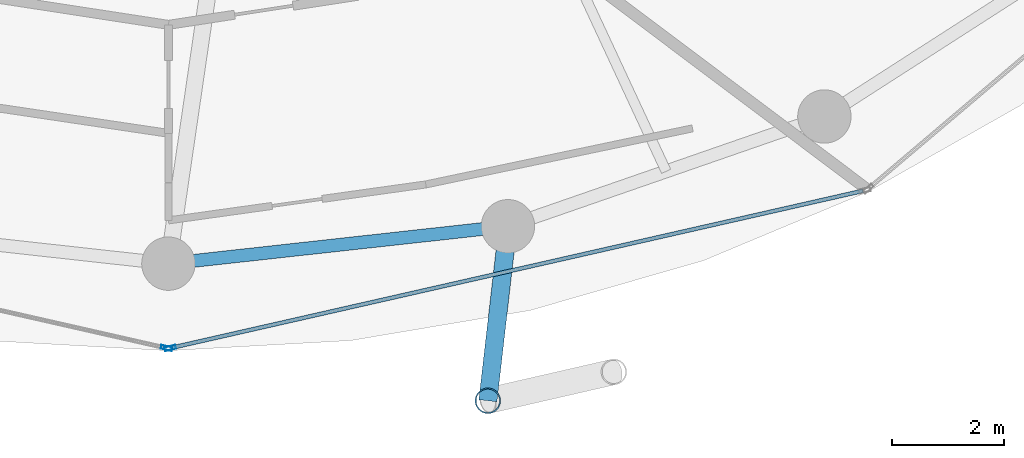
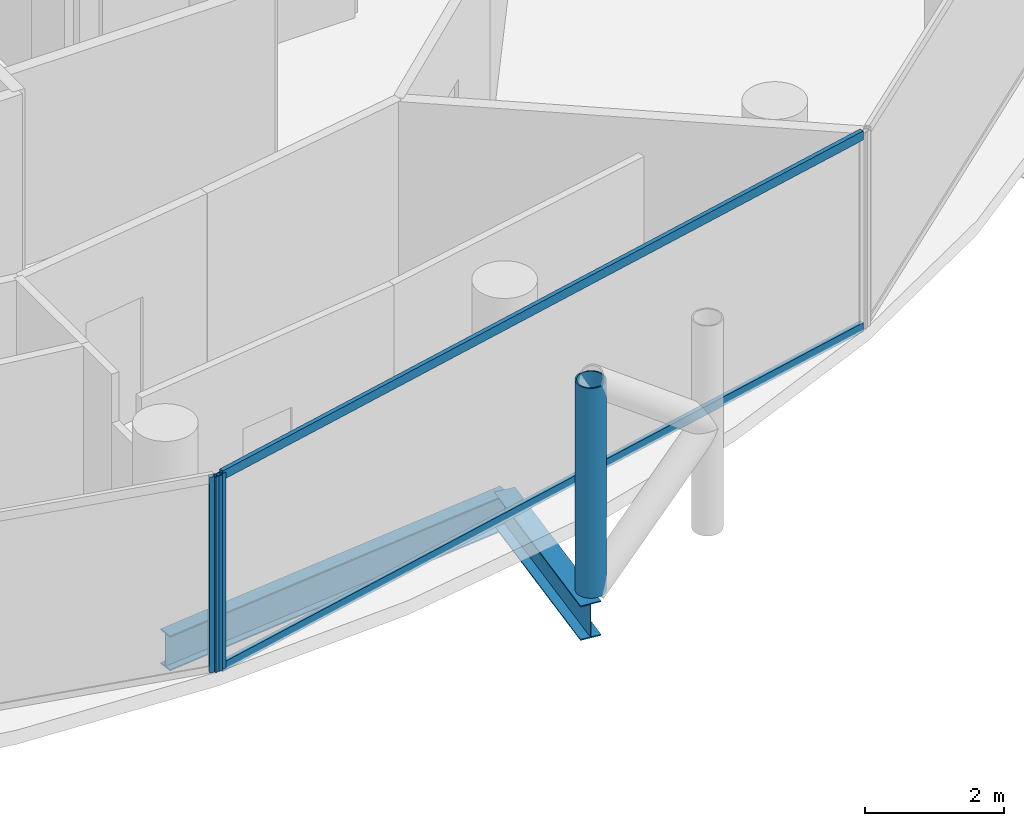
# One storey, part 4 of 26: 5 members, 2 beams, 2 elements without a shape of their own.
"""IFC4 building model written with IfcOpenShell, lengths in metres."""

from ifc_helpers import new_model, si_unit, direction, frame, origin, origin_2d, place, context, subcontext, project, spatial, hollow_rectangle, hollow_circle, i_section, extrude, material, layer, layer_set, material_profile, profile_set, type_object, element, aggregate, save


model = new_model("IFC4")

# Units and contexts
model_context = context("Model", 3, precision=1e-05, world=origin(), true_north=direction((0.0, 1.0)))
body_context = subcontext(model_context, "Body", "Model", "MODEL_VIEW")
ifc_project = project(units=[si_unit("LENGTHUNIT", "METRE"), si_unit("AREAUNIT", "SQUARE_METRE"), si_unit("VOLUMEUNIT", "CUBIC_METRE"), si_unit("PLANEANGLEUNIT", "RADIAN"), si_unit("MASSUNIT", "GRAM", prefix="KILO")], contexts=[model_context])

# Site, building, storey
site_placement = place(None, origin())
site = spatial("IfcSite", under=ifc_project, at=site_placement, CompositionType="ELEMENT")
building_placement = place(site_placement, origin())
building = spatial("IfcBuilding", under=site, at=building_placement, Name="Nuhasar Tower", CompositionType="ELEMENT")
storey_placement = place(building_placement, frame((0.0, 0.0, 133.050048828125)))
storey = spatial("IfcBuildingStorey", under=building, at=storey_placement, Name="L31", CompositionType="ELEMENT", Elevation=133.050048828125)

# Beams
ifc_material_1 = material(Name="Steel S355", Category="steel")
ifc_material_profile_1 = material_profile(ifc_material_1, i_section(OverallWidth=0.22998046875, OverallDepth=0.616943359375, WebThickness=0.01318359375, FlangeThickness=0.022216796875, at=origin_2d()), Name="W24X94")
ifc_profile_set_1 = profile_set([ifc_material_profile_1], Name="Steel S355")
beam_type_1 = type_object("IfcBeamType", Name="BM-RING-W24X94", PredefinedType="SPANDREL", material=ifc_profile_set_1)
beam_1_placement = place(storey_placement, frame((39.0, 7.25, -0.55810546875), z_axis=(0.993981289157, 0.109549974015, 0.0), x_axis=(-0.109549974015, 0.993981289157, 0.0)))
element("IfcBeam", 1, at=beam_1_placement, inside=storey, type_object=beam_type_1, Name="L31 Perimeter Ring Spandrel 19", PredefinedType="SPANDREL", context=body_context, shape_type="SweptSolid", body=[
    extrude(i_section(OverallWidth=0.22998046875, OverallDepth=0.616943359375, WebThickness=0.01318359375, FlangeThickness=0.022216796875, at=origin_2d()), origin(), (0.0, 0.0, 1.0), 6.07958984375),
])
ifc_material_profile_2 = material_profile(ifc_material_1, i_section(OverallWidth=0.323974609375, OverallDepth=0.611083984375, WebThickness=0.0126953125, FlangeThickness=0.01904296875, at=origin_2d()), Name="W24X104")
ifc_profile_set_2 = profile_set([ifc_material_profile_2], Name="Steel S355")
beam_type_2 = type_object("IfcBeamType", Name="BM-TIE-W24X104", PredefinedType="BEAM", material=ifc_profile_set_2)
beam_2_placement = place(storey_placement, frame((45.04296875, 7.916015625, -0.554931640625), z_axis=(-0.114167639647, -0.993461499031, 0.0), x_axis=(0.993461499031, -0.114167639647, 0.0)))
element("IfcBeam", 2, at=beam_2_placement, inside=storey, type_object=beam_type_2, Name="L31 Exoskeleton Node Tie Beam 10", PredefinedType="BEAM", context=body_context, shape_type="SweptSolid", body=[
    extrude(i_section(OverallWidth=0.323974609375, OverallDepth=0.611083984375, WebThickness=0.0126953125, FlangeThickness=0.01904296875, at=origin_2d()), origin(), (0.0, 0.0, 1.0), 3.12646484375),
])

# Curtain wall, member
ifc_material_2 = material(Name="Aluminium 6063-T6", Category="aluminium")
ifc_layer = layer(ifc_material_2, 0.199951171875)
ifc_layer_set = layer_set([ifc_layer], Name="Aluminium 6063-T6")
curtain_wall_type = type_object("IfcCurtainWallType", Name="CW-Z2-HTL", PredefinedType="NOTDEFINED", material=ifc_layer_set)
curtain_wall_1_placement = place(storey_placement, origin())
curtain_wall_1 = element("IfcCurtainWall", 3, at=curtain_wall_1_placement, inside=storey, type_object=curtain_wall_type, Name="L31 Unitised Curtain Wall 09", PredefinedType="NOTDEFINED")
ifc_material_profile_3 = material_profile(ifc_material_2, hollow_rectangle(XDim=0.070068359375, YDim=0.199951171875, WallThickness=0.0048828125, at=origin_2d()), Name="CWM-3")
ifc_profile_set_3 = profile_set([ifc_material_profile_3], Name="Aluminium 6063-T6")
member_type_1 = type_object("IfcMemberType", Name="CW-MUL-S3", PredefinedType="MULLION", material=ifc_profile_set_3)
member_1_placement = place(storey_placement, frame((38.9658203125, 5.747802734375, 0.0), z_axis=(0.0, 0.0, 1.0), x_axis=(0.22139729566, 0.975183694221, 0.0)))
member_1 = element("IfcMember", 4, at=member_1_placement, type_object=member_type_1, Name="CW-Z2 mullion 2", PredefinedType="MULLION", context=body_context, shape_type="SweptSolid", body=[
    extrude(hollow_rectangle(XDim=0.070068359375, YDim=0.199951171875, WallThickness=0.0048828125, at=origin_2d()), origin(), (0.0, 0.0, 1.0), 3.449951171875),
])
aggregate(curtain_wall_1, [member_1])

# Curtain wall, members
curtain_wall_2_placement = place(storey_placement, origin())
curtain_wall_2 = element("IfcCurtainWall", 5, at=curtain_wall_2_placement, inside=storey, type_object=curtain_wall_type, Name="L31 Unitised Curtain Wall 10", PredefinedType="NOTDEFINED")
member_2_placement = place(storey_placement, frame((39.0341796875, 5.747802734375, 0.0), z_axis=(0.0, 0.0, 1.0), x_axis=(-0.22139729566, 0.975183694221, 0.0)))
member_2 = element("IfcMember", 6, at=member_2_placement, type_object=member_type_1, Name="CW-Z2 mullion 1", PredefinedType="MULLION", context=body_context, shape_type="SweptSolid", body=[
    extrude(hollow_rectangle(XDim=0.070068359375, YDim=0.199951171875, WallThickness=0.0048828125, at=origin_2d()), origin(), (0.0, 0.0, 1.0), 3.449951171875),
])
ifc_material_profile_4 = material_profile(ifc_material_2, hollow_rectangle(XDim=0.070068359375, YDim=0.159912109375, WallThickness=0.00439453125, at=origin_2d()), Name="CWT-3")
ifc_profile_set_4 = profile_set([ifc_material_profile_4], Name="Aluminium 6063-T6")
member_type_2 = type_object("IfcMemberType", Name="CW-TRN-S3", PredefinedType="USERDEFINED", material=ifc_profile_set_4)
member_3_placement = place(storey_placement, frame((39.068359375, 5.755615234375, 0.034912109375), z_axis=(0.975187615691, 0.221380022142, 0.0), x_axis=(-0.221380022142, 0.975187615691, 0.0)))
member_3 = element("IfcMember", 7, at=member_3_placement, type_object=member_type_2, Name="CW-Z2 transom 1.1", ObjectType="TRANSOM", PredefinedType="USERDEFINED", context=body_context, shape_type="SweptSolid", body=[
    extrude(hollow_rectangle(XDim=0.070068359375, YDim=0.159912109375, WallThickness=0.00439453125, at=origin_2d()), origin(), (0.0, 0.0, 1.0), 12.606201171875),
])
member_4_placement = place(storey_placement, frame((39.068359375, 5.755615234375, 3.4150390625), z_axis=(0.975187615691, 0.221380022142, 0.0), x_axis=(-0.221380022142, 0.975187615691, 0.0)))
member_4 = element("IfcMember", 8, at=member_4_placement, type_object=member_type_2, Name="CW-Z2 transom 1.2", ObjectType="TRANSOM", PredefinedType="USERDEFINED", context=body_context, shape_type="SweptSolid", body=[
    extrude(hollow_rectangle(XDim=0.070068359375, YDim=0.159912109375, WallThickness=0.00439453125, at=origin_2d()), origin(), (0.0, 0.0, 1.0), 12.606201171875),
])
aggregate(curtain_wall_2, [member_2, member_3, member_4])

# Member
ifc_material_3 = material(Name="Steel S460", Category="steel")
ifc_material_profile_5 = material_profile(ifc_material_3, hollow_circle(Radius=0.228515625, WallThickness=0.022216796875, at=origin_2d()), Name="HSS457X22.2")
ifc_profile_set_5 = profile_set([ifc_material_profile_5], Name="Steel S460")
member_type_3 = type_object("IfcMemberType", Name="EXO-BRONZE-457", PredefinedType="BRACE", material=ifc_profile_set_5)
member_5_placement = place(storey_placement, frame((44.68603515625, 4.81005859375, 0.0), z_axis=(0.0, 0.0, 1.0), x_axis=(1.0, 0.0, 0.0)))
element("IfcMember", 9, at=member_5_placement, inside=storey, type_object=member_type_3, Name="L31 Exoskeleton Chord Column EC-10A", PredefinedType="BRACE", context=body_context, shape_type="SweptSolid", body=[
    extrude(hollow_circle(Radius=0.228515625, WallThickness=0.022216796875, at=origin_2d()), origin(), (0.0, 0.0, 1.0), 3.699951171875),
])

save(model, "model.ifc")
